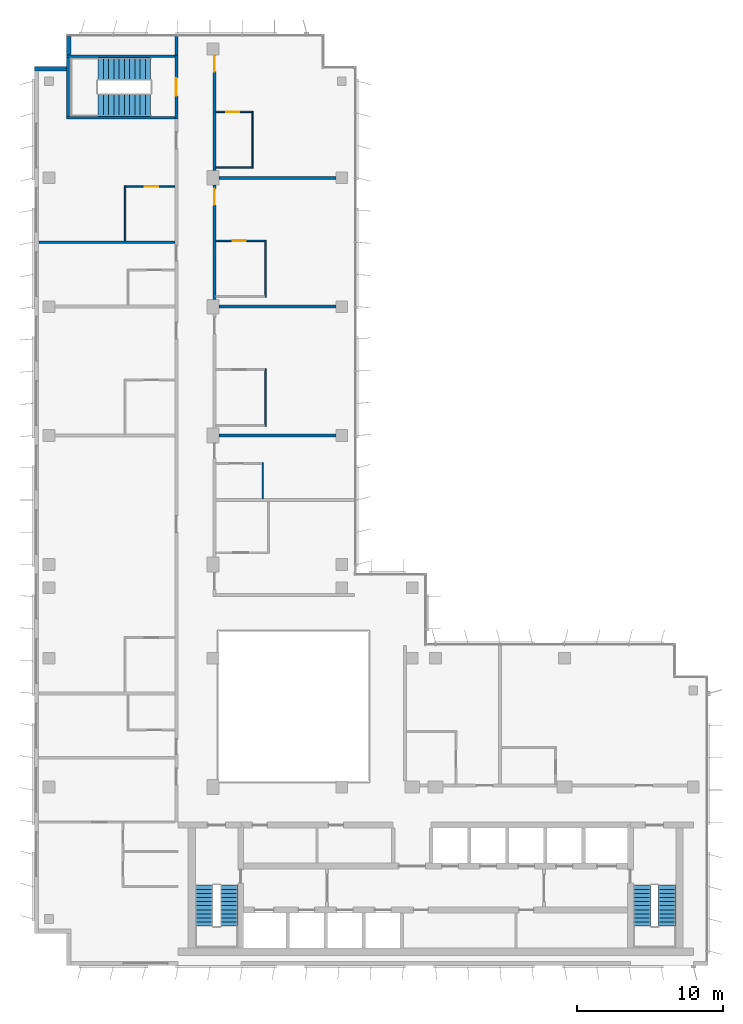
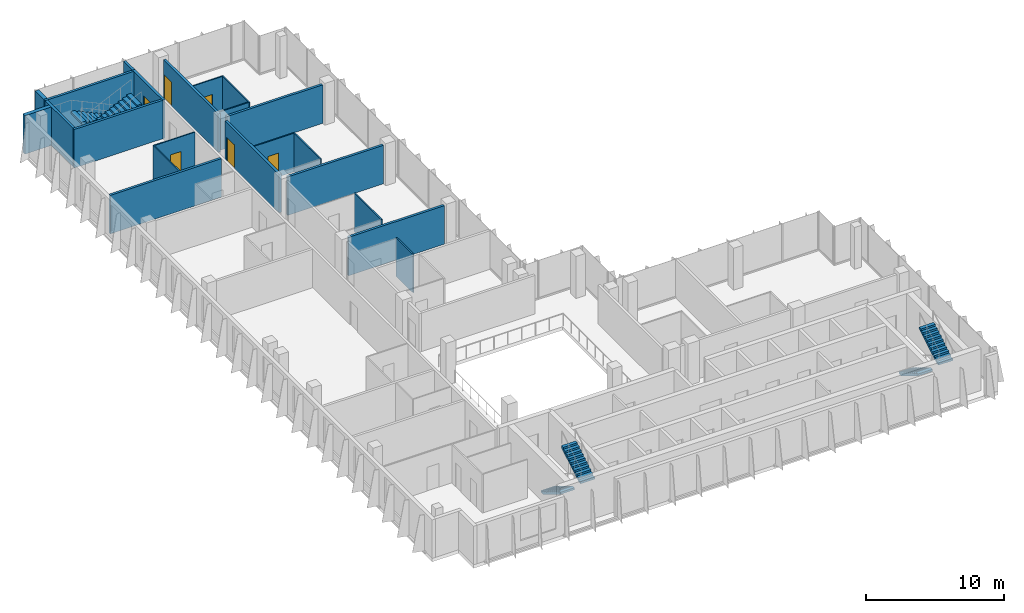
# One storey, part 12 of 15: 22 walls, 6 doors, 6 stair flights, 6 openings, 3 elements without a shape of their own.
"""IFC4 building model written with IfcOpenShell, lengths in metres."""

from ifc_helpers import new_model, si_unit, direction, frame, frame_2d, origin, place, context, subcontext, project, spatial, polyline, rectangle, outline, extrude, material, layer, layer_set, type_object, element, fill, aggregate, save


model = new_model("IFC4")

# Units and contexts
model_context = context("Model", 3, precision=1e-05, world=origin(), true_north=direction((0.0, 1.0)))
body_context = subcontext(model_context, "Body", "Model", "MODEL_VIEW")
ifc_project = project(units=[si_unit("LENGTHUNIT", "METRE"), si_unit("AREAUNIT", "SQUARE_METRE"), si_unit("VOLUMEUNIT", "CUBIC_METRE"), si_unit("PLANEANGLEUNIT", "RADIAN"), si_unit("MASSUNIT", "GRAM", prefix="KILO")], contexts=[model_context])

# Site, building, storey
site_placement = place(None, origin())
site = spatial("IfcSite", under=ifc_project, at=site_placement, CompositionType="ELEMENT")
building_placement = place(site_placement, origin())
building = spatial("IfcBuilding", under=site, at=building_placement, Name="Kemantara Hotel Tower", CompositionType="ELEMENT")
storey_placement = place(building_placement, frame((0.0, 0.0, 230.199951171875)))
storey = spatial("IfcBuildingStorey", under=building, at=storey_placement, Name="L57", CompositionType="ELEMENT", Elevation=230.199951171875)

# Walls
ifc_material_1 = material(Name="Bronze anodised aluminium cladding on insulated steel stud wall", Category="steel")
ifc_layer_1 = layer(ifc_material_1, 0.300048828125)
ifc_layer_set_1 = layer_set([ifc_layer_1], Name="Bronze anodised aluminium cladding on insulated steel stud wall")
wall_type_1 = type_object("IfcWallType", Name="BRONZE METAL-CLAD EXTERNAL WALL 300", PredefinedType="STANDARD", material=ifc_layer_set_1)
wall_1_placement = place(storey_placement, frame((2.35009765625, 63.449951171875, 0.0), z_axis=(0.0, 0.0, 1.0), x_axis=(0.0, -1.0, 0.0)))
element("IfcWall", 1, at=wall_1_placement, inside=storey, type_object=wall_type_1, Name="EXTERNAL WALL L57 T4-R03", PredefinedType="STANDARD", context=body_context, shape_type="SweptSolid", body=[
    extrude(rectangle(XDim=1.25, YDim=0.300048828125, at=frame_2d((0.625, 0.0))), origin(), (0.0, 0.0, 1.0), 3.400146484375),
])
wall_2_placement = place(storey_placement, frame((2.199951171875, 61.25, 0.0), z_axis=(0.0, 0.0, 1.0), x_axis=(-1.0, 0.0, 0.0)))
element("IfcWall", 2, at=wall_2_placement, inside=storey, type_object=wall_type_1, Name="EXTERNAL WALL L57 T4-R04", PredefinedType="STANDARD", context=body_context, shape_type="SweptSolid", body=[
    extrude(rectangle(XDim=2.199951171875, YDim=0.300048828125, at=frame_2d((1.10009765625, 0.0))), origin(), (0.0, 0.0, 1.0), 3.400146484375),
])
ifc_material_2 = material(Name="Gypsum board partition, steel studs and mineral wool, 200 mm", Category="steel")
ifc_layer_2 = layer(ifc_material_2, 0.199951171875)
ifc_layer_set_2 = layer_set([ifc_layer_2], Name="Gypsum board partition, steel studs and mineral wool, 200 mm")
wall_type_2 = type_object("IfcWallType", Name="CORRIDOR WALL 200", PredefinedType="PARTITIONING", material=ifc_layer_set_2)
wall_3_placement = place(storey_placement, frame((9.699951171875, 62.199951171875, 0.0), z_axis=(0.0, 0.0, 1.0), x_axis=(0.0, 1.0, 0.0)))
element("IfcWall", 3, at=wall_3_placement, inside=storey, type_object=wall_type_2, Name="CORRIDOR WALL 200 007", PredefinedType="PARTITIONING", context=body_context, shape_type="SweptSolid", body=[
    extrude(rectangle(XDim=1.280029296875, YDim=0.199951171875, at=frame_2d((0.64013671875, 0.0))), origin(), (0.0, 0.0, 1.0), 3.400146484375),
])

# Wall, opening, door
wall_4_placement = place(storey_placement, frame((12.300048828125, 53.2998046875, 0.0), z_axis=(0.0, 0.0, 1.0), x_axis=(0.0, -1.0, 0.0)))
wall_4 = element("IfcWall", 4, at=wall_4_placement, inside=storey, type_object=wall_type_2, Name="CORRIDOR WALL 200 018", PredefinedType="PARTITIONING", context=body_context, shape_type="SweptSolid", body=[
    extrude(rectangle(XDim=7.7998046875, YDim=0.199951171875, at=frame_2d((3.89990234375, 0.0))), origin(), (0.0, 0.0, 1.0), 3.400146484375),
])
opening_1_placement = place(wall_4_placement, frame((0.25, 0.0, 0.0)))
opening_1 = element("IfcOpeningElement", 5, at=opening_1_placement, cuts=wall_4, Name="Opening F28-025", PredefinedType="OPENING", context=body_context, shape_type="SweptSolid", body=[
    extrude(rectangle(XDim=1.10009765625, YDim=2.10009765625, at=frame_2d((0.550048828125, 1.050048828125))), frame((0.0, 0.10986328125, 0.0), z_axis=(0.0, -1.0, 0.0), x_axis=(1.0, 0.0, 0.0)), (0.0, 0.0, 1.0), 0.219970703125),
])
ifc_material_3 = material(Name="Hardwood veneer door leaf with steel frame", Category="steel")
door_type_1 = type_object("IfcDoorType", Name="SUITE ENTRANCE DOOR 1100 X 2100 FD30S", OperationType="NOTDEFINED", PredefinedType="DOOR", material=ifc_material_3)
door_1_placement = place(opening_1_placement, origin())
door_1 = element("IfcDoor", 6, at=door_1_placement, inside=storey, type_object=door_type_1, Name="SUITE ENTRANCE DOOR F28-025", OperationType="SINGLE_SWING_LEFT", OverallHeight=2.10009765625, OverallWidth=1.10009765625, PredefinedType="DOOR", context=body_context, shape_type="SweptSolid", body=[
    extrude(rectangle(XDim=1.10009765625, YDim=2.10009765625, at=frame_2d((0.550048828125, 1.050048828125))), frame((0.0, 0.02490234375, 0.0), z_axis=(0.0, -1.0, 0.0), x_axis=(1.0, 0.0, 0.0)), (0.0, 0.0, 1.0), 0.050048828125),
])
fill(opening_1, door_1)

wall_5_placement = place(storey_placement, frame((12.300048828125, 62.199951171875, 0.0), z_axis=(0.0, 0.0, 1.0), x_axis=(0.0, -1.0, 0.0)))
wall_5 = element("IfcWall", 7, at=wall_5_placement, inside=storey, type_object=wall_type_2, Name="CORRIDOR WALL 200 019", PredefinedType="PARTITIONING", context=body_context, shape_type="SweptSolid", body=[
    extrude(rectangle(XDim=7.89990234375, YDim=0.199951171875, at=frame_2d((3.949951171875, 0.0))), origin(), (0.0, 0.0, 1.0), 3.400146484375),
])
opening_2_placement = place(wall_5_placement, frame((0.0498046875, 0.0, 0.0)))
opening_2 = element("IfcOpeningElement", 8, at=opening_2_placement, cuts=wall_5, Name="Opening F28-027", PredefinedType="OPENING", context=body_context, shape_type="SweptSolid", body=[
    extrude(rectangle(XDim=1.10009765625, YDim=2.10009765625, at=frame_2d((0.550048828125, 1.050048828125))), frame((0.0, 0.10986328125, 0.0), z_axis=(0.0, -1.0, 0.0), x_axis=(1.0, 0.0, 0.0)), (0.0, 0.0, 1.0), 0.219970703125),
])
door_2_placement = place(opening_2_placement, origin())
door_2 = element("IfcDoor", 9, at=door_2_placement, inside=storey, type_object=door_type_1, Name="SUITE ENTRANCE DOOR F28-027", OperationType="SINGLE_SWING_LEFT", OverallHeight=2.10009765625, OverallWidth=1.10009765625, PredefinedType="DOOR", context=body_context, shape_type="SweptSolid", body=[
    extrude(rectangle(XDim=1.10009765625, YDim=2.10009765625, at=frame_2d((0.550048828125, 1.050048828125))), frame((0.0, 0.02490234375, 0.0), z_axis=(0.0, -1.0, 0.0), x_axis=(1.0, 0.0, 0.0)), (0.0, 0.0, 1.0), 0.050048828125),
])
fill(opening_2, door_2)

ifc_material_4 = material(Name="Concrete fc 40 MPa", Category="concrete")
ifc_layer_3 = layer(ifc_material_4, 0.199951171875)
ifc_layer_set_3 = layer_set([ifc_layer_3], Name="Concrete fc 40 MPa")
wall_type_3 = type_object("IfcWallType", Name="Concrete stair wall 200 mm", PredefinedType="SHEAR", material=ifc_layer_set_3)
wall_6_placement = place(storey_placement, frame((9.699951171875, 57.800048828125, 0.0), z_axis=(0.0, 0.0, 1.0), x_axis=(0.0, 1.0, 0.0)))
wall_6 = element("IfcWall", 10, at=wall_6_placement, inside=storey, type_object=wall_type_3, Name="Stair ST4 enclosure wall with door", PredefinedType="SHEAR", context=body_context, shape_type="SweptSolid", body=[
    extrude(rectangle(XDim=4.39990234375, YDim=0.199951171875, at=frame_2d((2.199951171875, 0.0))), origin(), (0.0, 0.0, 1.0), 3.400146484375),
])
opening_3_placement = place(wall_6_placement, frame((1.60009765625, 0.0, 0.0)))
opening_3 = element("IfcOpeningElement", 11, at=opening_3_placement, cuts=wall_6, Name="Opening ST4-C", PredefinedType="OPENING", context=body_context, shape_type="SweptSolid", body=[
    extrude(rectangle(XDim=1.199951171875, YDim=2.10009765625, at=frame_2d((0.60009765625, 1.050048828125))), frame((0.0, 0.10986328125, 0.0), z_axis=(0.0, -1.0, 0.0), x_axis=(1.0, 0.0, 0.0)), (0.0, 0.0, 1.0), 0.219970703125),
])
ifc_material_5 = material(Name="Steel fire door", Category="steel")
door_type_2 = type_object("IfcDoorType", Name="Fire door FD90 1200 x 2100", OperationType="NOTDEFINED", PredefinedType="DOOR", material=ifc_material_5)
door_3_placement = place(opening_3_placement, origin())
door_3 = element("IfcDoor", 12, at=door_3_placement, inside=storey, type_object=door_type_2, Name="Stair ST4 door", OperationType="SINGLE_SWING_RIGHT", OverallHeight=2.10009765625, OverallWidth=1.199951171875, PredefinedType="DOOR", context=body_context, shape_type="SweptSolid", body=[
    extrude(rectangle(XDim=1.199951171875, YDim=2.10009765625, at=frame_2d((0.60009765625, 1.050048828125))), frame((0.0, 0.02490234375, 0.0), z_axis=(0.0, -1.0, 0.0), x_axis=(1.0, 0.0, 0.0)), (0.0, 0.0, 1.0), 0.050048828125),
])
fill(opening_3, door_3)

# Walls
for number, where, z_axis, x_axis, name in (
    (13, (2.199951171875, 62.10009765625, 0.0), (0.0, 0.0, 1.0), (1.0, 0.0, 0.0), "Stair ST4 enclosure wall N"),
    (14, (2.199951171875, 57.89990234375, 0.0), (0.0, 0.0, 1.0), (1.0, 0.0, 0.0), "Stair ST4 enclosure wall S"),
):
    element("IfcWall", number, at=place(storey_placement, frame(where, z_axis=z_axis, x_axis=x_axis)), inside=storey, type_object=wall_type_3, Name=name, PredefinedType="SHEAR", context=body_context, shape_type="SweptSolid", body=[
        extrude(rectangle(XDim=7.400146484375, YDim=0.199951171875, at=frame_2d((3.7001953125, 0.0))), origin(), (0.0, 0.0, 1.0), 3.400146484375),
    ])
wall_7_placement = place(storey_placement, frame((2.300048828125, 58.0, 0.0), z_axis=(0.0, 0.0, 1.0), x_axis=(0.0, 1.0, 0.0)))
element("IfcWall", 15, at=wall_7_placement, inside=storey, type_object=wall_type_3, Name="Stair ST4 enclosure wall W", PredefinedType="SHEAR", context=body_context, shape_type="SweptSolid", body=[
    extrude(rectangle(XDim=4.0, YDim=0.199951171875, at=frame_2d((2.0, 0.0))), origin(), (0.0, 0.0, 1.0), 3.400146484375),
])
ifc_layer_4 = layer(ifc_material_2, 0.199951171875)
ifc_layer_set_4 = layer_set([ifc_layer_4], Name="Gypsum board partition, steel studs and mineral wool, 200 mm")
wall_type_4 = type_object("IfcWallType", Name="GUEST ROOM PARTY WALL 200", PredefinedType="PARTITIONING", material=ifc_layer_set_4)
for number, where, z_axis, x_axis, name in (
    (16, (12.60009765625, 36.199951171875, 0.0), (0.0, 0.0, 1.0), (1.0, 0.0, 0.0), "GUEST ROOM PARTY WALL 200 011"),
    (17, (12.60009765625, 45.0, 0.0), (0.0, 0.0, 1.0), (1.0, 0.0, 0.0), "GUEST ROOM PARTY WALL 200 013"),
):
    element("IfcWall", number, at=place(storey_placement, frame(where, z_axis=z_axis, x_axis=x_axis)), inside=storey, type_object=wall_type_4, Name=name, PredefinedType="PARTITIONING", context=body_context, shape_type="SweptSolid", body=[
        extrude(rectangle(XDim=7.999755859375, YDim=0.199951171875, at=frame_2d((4.0, 0.0))), origin(), (0.0, 0.0, 1.0), 3.400146484375),
    ])
wall_8_placement = place(storey_placement, frame((0.31005859375, 49.39990234375, 0.0), z_axis=(0.0, 0.0, 1.0), x_axis=(1.0, 0.0, 0.0)))
element("IfcWall", 18, at=wall_8_placement, inside=storey, type_object=wall_type_4, Name="GUEST ROOM PARTY WALL 200 014", PredefinedType="PARTITIONING", context=body_context, shape_type="SweptSolid", body=[
    extrude(rectangle(XDim=9.2900390625, YDim=0.199951171875, at=frame_2d((4.64501953125, 0.0))), origin(), (0.0, 0.0, 1.0), 3.400146484375),
])
wall_9_placement = place(storey_placement, frame((12.60009765625, 53.800048828125, 0.0), z_axis=(0.0, 0.0, 1.0), x_axis=(1.0, 0.0, 0.0)))
element("IfcWall", 19, at=wall_9_placement, inside=storey, type_object=wall_type_4, Name="GUEST ROOM PARTY WALL 200 022", PredefinedType="PARTITIONING", context=body_context, shape_type="SweptSolid", body=[
    extrude(rectangle(XDim=7.999755859375, YDim=0.199951171875, at=frame_2d((4.0, 0.0))), origin(), (0.0, 0.0, 1.0), 3.400146484375),
])
ifc_material_6 = material(Name="Gypsum board partition on steel studs, 100 mm", Category="steel")
ifc_layer_5 = layer(ifc_material_6, 0.10009765625)
ifc_layer_set_5 = layer_set([ifc_layer_5], Name="Gypsum board partition on steel studs, 100 mm")
wall_type_5 = type_object("IfcWallType", Name="ROOM PARTITION 100", PredefinedType="PARTITIONING", material=ifc_layer_set_5)
wall_10_placement = place(storey_placement, frame((6.199951171875, 49.5, 0.0), z_axis=(0.0, 0.0, 1.0), x_axis=(0.0, 1.0, 0.0)))
element("IfcWall", 20, at=wall_10_placement, inside=storey, type_object=wall_type_5, Name="ROOM PARTITION 100 036", PredefinedType="PARTITIONING", context=body_context, shape_type="SweptSolid", body=[
    extrude(rectangle(XDim=3.75, YDim=0.10009765625, at=frame_2d((1.875, 0.0))), origin(), (0.0, 0.0, 1.0), 3.400146484375),
])

# Wall, opening, door
wall_11_placement = place(storey_placement, frame((9.60009765625, 53.199951171875, 0.0), z_axis=(0.0, 0.0, 1.0), x_axis=(-1.0, 0.0, 0.0)))
wall_11 = element("IfcWall", 21, at=wall_11_placement, inside=storey, type_object=wall_type_5, Name="ROOM PARTITION 100 040", PredefinedType="PARTITIONING", context=body_context, shape_type="SweptSolid", body=[
    extrude(rectangle(XDim=3.35009765625, YDim=0.10009765625, at=frame_2d((1.675048828125, 0.0))), origin(), (0.0, 0.0, 1.0), 3.400146484375),
])
opening_4_placement = place(wall_11_placement, frame((1.14990234375, 0.0, 0.0)))
opening_4 = element("IfcOpeningElement", 22, at=opening_4_placement, cuts=wall_11, Name="Opening F28-018", PredefinedType="OPENING", context=body_context, shape_type="SweptSolid", body=[
    extrude(rectangle(XDim=0.89990234375, YDim=2.10009765625, at=frame_2d((0.449951171875, 1.050048828125))), frame((0.0, 0.06005859375, 0.0), z_axis=(0.0, -1.0, 0.0), x_axis=(1.0, 0.0, 0.0)), (0.0, 0.0, 1.0), 0.1201171875),
])
door_type_3 = type_object("IfcDoorType", Name="BATHROOM DOOR 900 X 2100", OperationType="NOTDEFINED", PredefinedType="DOOR", material=ifc_material_3)
door_4_placement = place(opening_4_placement, origin())
door_4 = element("IfcDoor", 23, at=door_4_placement, inside=storey, type_object=door_type_3, Name="BATHROOM DOOR F28-018", OperationType="SINGLE_SWING_LEFT", OverallHeight=2.10009765625, OverallWidth=0.89990234375, PredefinedType="DOOR", context=body_context, shape_type="SweptSolid", body=[
    extrude(rectangle(XDim=0.89990234375, YDim=2.10009765625, at=frame_2d((0.449951171875, 1.050048828125))), frame((0.0, 0.02490234375, 0.0), z_axis=(0.0, -1.0, 0.0), x_axis=(1.0, 0.0, 0.0)), (0.0, 0.0, 1.0), 0.050048828125),
])
fill(opening_4, door_4)

# Walls
wall_12_placement = place(storey_placement, frame((15.60009765625, 31.89990234375, 0.0), z_axis=(0.0, 0.0, 1.0), x_axis=(0.0, 1.0, 0.0)))
element("IfcWall", 24, at=wall_12_placement, inside=storey, type_object=wall_type_5, Name="ROOM PARTITION 100 043", PredefinedType="PARTITIONING", context=body_context, shape_type="SweptSolid", body=[
    extrude(rectangle(XDim=2.4501953125, YDim=0.10009765625, at=frame_2d((1.22509765625, 0.0))), origin(), (0.0, 0.0, 1.0), 3.400146484375),
])
wall_13_placement = place(storey_placement, frame((15.800048828125, 36.85009765625, 0.0), z_axis=(0.0, 0.0, 1.0), x_axis=(0.0, 1.0, 0.0)))
element("IfcWall", 25, at=wall_13_placement, inside=storey, type_object=wall_type_5, Name="ROOM PARTITION 100 045", PredefinedType="PARTITIONING", context=body_context, shape_type="SweptSolid", body=[
    extrude(rectangle(XDim=3.89990234375, YDim=0.10009765625, at=frame_2d((1.949951171875, 0.0))), origin(), (0.0, 0.0, 1.0), 3.400146484375),
])
wall_14_placement = place(storey_placement, frame((15.800048828125, 45.64990234375, 0.0), z_axis=(0.0, 0.0, 1.0), x_axis=(0.0, 1.0, 0.0)))
element("IfcWall", 26, at=wall_14_placement, inside=storey, type_object=wall_type_5, Name="ROOM PARTITION 100 046", PredefinedType="PARTITIONING", context=body_context, shape_type="SweptSolid", body=[
    extrude(rectangle(XDim=3.900146484375, YDim=0.10009765625, at=frame_2d((1.9501953125, 0.0))), origin(), (0.0, 0.0, 1.0), 3.400146484375),
])

# Wall, opening, door
wall_15_placement = place(storey_placement, frame((15.75, 49.5, 0.0), z_axis=(0.0, 0.0, 1.0), x_axis=(-1.0, 0.0, 0.0)))
wall_15 = element("IfcWall", 27, at=wall_15_placement, inside=storey, type_object=wall_type_5, Name="ROOM PARTITION 100 050", PredefinedType="PARTITIONING", context=body_context, shape_type="SweptSolid", body=[
    extrude(rectangle(XDim=3.35009765625, YDim=0.10009765625, at=frame_2d((1.675048828125, 0.0))), origin(), (0.0, 0.0, 1.0), 3.400146484375),
])
opening_5_placement = place(wall_15_placement, frame((1.300048828125, 0.0, 0.0)))
opening_5 = element("IfcOpeningElement", 28, at=opening_5_placement, cuts=wall_15, Name="Opening F28-026", PredefinedType="OPENING", context=body_context, shape_type="SweptSolid", body=[
    extrude(rectangle(XDim=0.89990234375, YDim=2.10009765625, at=frame_2d((0.449951171875, 1.050048828125))), frame((0.0, 0.06005859375, 0.0), z_axis=(0.0, -1.0, 0.0), x_axis=(1.0, 0.0, 0.0)), (0.0, 0.0, 1.0), 0.1201171875),
])
door_5_placement = place(opening_5_placement, origin())
door_5 = element("IfcDoor", 29, at=door_5_placement, inside=storey, type_object=door_type_3, Name="BATHROOM DOOR F28-026", OperationType="SINGLE_SWING_RIGHT", OverallHeight=2.10009765625, OverallWidth=0.89990234375, PredefinedType="DOOR", context=body_context, shape_type="SweptSolid", body=[
    extrude(rectangle(XDim=0.89990234375, YDim=2.10009765625, at=frame_2d((0.449951171875, 1.050048828125))), frame((0.0, 0.02490234375, 0.0), z_axis=(0.0, -1.0, 0.0), x_axis=(1.0, 0.0, 0.0)), (0.0, 0.0, 1.0), 0.050048828125),
])
fill(opening_5, door_5)

# Walls
wall_16_placement = place(storey_placement, frame((14.89990234375, 54.449951171875, 0.0), z_axis=(0.0, 0.0, 1.0), x_axis=(0.0, 1.0, 0.0)))
element("IfcWall", 30, at=wall_16_placement, inside=storey, type_object=wall_type_5, Name="ROOM PARTITION 100 051", PredefinedType="PARTITIONING", context=body_context, shape_type="SweptSolid", body=[
    extrude(rectangle(XDim=3.900146484375, YDim=0.10009765625, at=frame_2d((1.9501953125, 0.0))), origin(), (0.0, 0.0, 1.0), 3.400146484375),
])
wall_17_placement = place(storey_placement, frame((12.39990234375, 54.5, 0.0), z_axis=(0.0, 0.0, 1.0), x_axis=(1.0, 0.0, 0.0)))
element("IfcWall", 31, at=wall_17_placement, inside=storey, type_object=wall_type_5, Name="ROOM PARTITION 100 052", PredefinedType="PARTITIONING", context=body_context, shape_type="SweptSolid", body=[
    extrude(rectangle(XDim=2.4501953125, YDim=0.10009765625, at=frame_2d((1.22509765625, 0.0))), origin(), (0.0, 0.0, 1.0), 3.400146484375),
])

# Wall, opening, door
wall_18_placement = place(storey_placement, frame((14.85009765625, 58.300048828125, 0.0), z_axis=(0.0, 0.0, 1.0), x_axis=(-1.0, 0.0, 0.0)))
wall_18 = element("IfcWall", 32, at=wall_18_placement, inside=storey, type_object=wall_type_5, Name="ROOM PARTITION 100 053", PredefinedType="PARTITIONING", context=body_context, shape_type="SweptSolid", body=[
    extrude(rectangle(XDim=2.4501953125, YDim=0.10009765625, at=frame_2d((1.22509765625, 0.0))), origin(), (0.0, 0.0, 1.0), 3.400146484375),
])
opening_6_placement = place(wall_18_placement, frame((0.85009765625, 0.0, 0.0)))
opening_6 = element("IfcOpeningElement", 33, at=opening_6_placement, cuts=wall_18, Name="Opening F28-028", PredefinedType="OPENING", context=body_context, shape_type="SweptSolid", body=[
    extrude(rectangle(XDim=0.89990234375, YDim=2.10009765625, at=frame_2d((0.449951171875, 1.050048828125))), frame((0.0, 0.06005859375, 0.0), z_axis=(0.0, -1.0, 0.0), x_axis=(1.0, 0.0, 0.0)), (0.0, 0.0, 1.0), 0.1201171875),
])
door_6_placement = place(opening_6_placement, origin())
door_6 = element("IfcDoor", 34, at=door_6_placement, inside=storey, type_object=door_type_3, Name="BATHROOM DOOR F28-028", OperationType="SINGLE_SWING_RIGHT", OverallHeight=2.10009765625, OverallWidth=0.89990234375, PredefinedType="DOOR", context=body_context, shape_type="SweptSolid", body=[
    extrude(rectangle(XDim=0.89990234375, YDim=2.10009765625, at=frame_2d((0.449951171875, 1.050048828125))), frame((0.0, 0.02490234375, 0.0), z_axis=(0.0, -1.0, 0.0), x_axis=(1.0, 0.0, 0.0)), (0.0, 0.0, 1.0), 0.050048828125),
])
fill(opening_6, door_6)

# Stair, stair flights
stair_type_1 = type_object("IfcStairType", Name="Stair 1200 wide 22 risers of 168 x 280 mm", PredefinedType="HALF_TURN_STAIR", material=ifc_material_4)
stair_1_placement = place(storey_placement, origin())
stair_1 = element("IfcStair", 35, at=stair_1_placement, inside=storey, type_object=stair_type_1, Name="L57 Exit stair ST1", PredefinedType="HALF_TURN_STAIR")
stair_flight_type_1 = type_object("IfcStairFlightType", Name="Stair flight 1200 wide 168 x 280 mm", PredefinedType="STRAIGHT", material=ifc_material_4)
stair_flight_1_placement = place(storey_placement, frame((11.60009765625, 5.5, 0.0), z_axis=(0.0, 0.0, 1.0), x_axis=(0.0, -1.0, 0.0)))
stair_flight_1 = element("IfcStairFlight", 36, at=stair_flight_1_placement, type_object=stair_flight_type_1, Name="ST1 flight 1", NumberOfRisers=11, NumberOfTreads=10, PredefinedType="STRAIGHT", RiserHeight=0.168181818, TreadLength=0.28, context=body_context, shape_type="SweptSolid", body=[
    extrude(outline(polyline([(0.0, 0.0), (0.0, 0.168212890625), (0.280029296875, 0.168212890625), (0.280029296875, 0.33642578125), (0.56005859375, 0.33642578125), (0.56005859375, 0.504638671875), (0.840087890625, 0.504638671875), (0.840087890625, 0.672607421875), (1.1201171875, 0.672607421875), (1.1201171875, 0.8408203125), (1.39990234375, 0.8408203125), (1.39990234375, 1.009033203125), (1.679931640625, 1.009033203125), (1.679931640625, 1.17724609375), (1.9599609375, 1.17724609375), (1.9599609375, 1.345458984375), (2.239990234375, 1.345458984375), (2.239990234375, 1.513671875), (2.52001953125, 1.513671875), (2.52001953125, 1.681884765625), (2.800048828125, 1.681884765625), (2.800048828125, 1.85009765625), (2.800048828125, 1.5068359375), (0.291015625, 0.0), (0.0, 0.0)])), frame((0.0, 0.60009765625, 0.0), z_axis=(0.0, -1.0, 0.0), x_axis=(1.0, 0.0, 0.0)), (0.0, 0.0, 1.0), 1.199951171875),
])
stair_flight_2_placement = place(storey_placement, frame((13.300048828125, 2.699951171875, 1.85009765625), z_axis=(0.0, 0.0, 1.0), x_axis=(0.0, 1.0, 0.0)))
stair_flight_2 = element("IfcStairFlight", 37, at=stair_flight_2_placement, type_object=stair_flight_type_1, Name="ST1 flight 2", NumberOfRisers=11, NumberOfTreads=10, PredefinedType="STRAIGHT", RiserHeight=0.168181818, TreadLength=0.28, context=body_context, shape_type="SweptSolid", body=[
    extrude(outline(polyline([(0.0, 0.0), (0.0, 0.168212890625), (0.280029296875, 0.168212890625), (0.280029296875, 0.33642578125), (0.56005859375, 0.33642578125), (0.56005859375, 0.504638671875), (0.840087890625, 0.504638671875), (0.840087890625, 0.672607421875), (1.1201171875, 0.672607421875), (1.1201171875, 0.8408203125), (1.39990234375, 0.8408203125), (1.39990234375, 1.009033203125), (1.679931640625, 1.009033203125), (1.679931640625, 1.17724609375), (1.9599609375, 1.17724609375), (1.9599609375, 1.345458984375), (2.239990234375, 1.345458984375), (2.239990234375, 1.513671875), (2.52001953125, 1.513671875), (2.52001953125, 1.681884765625), (2.800048828125, 1.681884765625), (2.800048828125, 1.85009765625), (2.800048828125, 1.5068359375), (0.291015625, 0.0), (0.0, 0.0)])), frame((0.0, 0.60009765625, 0.0), z_axis=(0.0, -1.0, 0.0), x_axis=(1.0, 0.0, 0.0)), (0.0, 0.0, 1.0), 1.199951171875),
])
aggregate(stair_1, [stair_flight_1, stair_flight_2])

stair_2_placement = place(storey_placement, origin())
stair_2 = element("IfcStair", 38, at=stair_2_placement, inside=storey, type_object=stair_type_1, Name="L57 Exit stair ST2", PredefinedType="HALF_TURN_STAIR")
stair_flight_3_placement = place(storey_placement, frame((41.5, 5.5, 0.0), z_axis=(0.0, 0.0, 1.0), x_axis=(0.0, -1.0, 0.0)))
stair_flight_3 = element("IfcStairFlight", 39, at=stair_flight_3_placement, type_object=stair_flight_type_1, Name="ST2 flight 1", NumberOfRisers=11, NumberOfTreads=10, PredefinedType="STRAIGHT", RiserHeight=0.168181818, TreadLength=0.28, context=body_context, shape_type="SweptSolid", body=[
    extrude(outline(polyline([(0.0, 0.0), (0.0, 0.168212890625), (0.280029296875, 0.168212890625), (0.280029296875, 0.33642578125), (0.56005859375, 0.33642578125), (0.56005859375, 0.504638671875), (0.840087890625, 0.504638671875), (0.840087890625, 0.672607421875), (1.1201171875, 0.672607421875), (1.1201171875, 0.8408203125), (1.39990234375, 0.8408203125), (1.39990234375, 1.009033203125), (1.679931640625, 1.009033203125), (1.679931640625, 1.17724609375), (1.9599609375, 1.17724609375), (1.9599609375, 1.345458984375), (2.239990234375, 1.345458984375), (2.239990234375, 1.513671875), (2.52001953125, 1.513671875), (2.52001953125, 1.681884765625), (2.800048828125, 1.681884765625), (2.800048828125, 1.85009765625), (2.800048828125, 1.5068359375), (0.291015625, 0.0), (0.0, 0.0)])), frame((0.0, 0.60009765625, 0.0), z_axis=(0.0, -1.0, 0.0), x_axis=(1.0, 0.0, 0.0)), (0.0, 0.0, 1.0), 1.199951171875),
])
stair_flight_4_placement = place(storey_placement, frame((43.199951171875, 2.699951171875, 1.85009765625), z_axis=(0.0, 0.0, 1.0), x_axis=(0.0, 1.0, 0.0)))
stair_flight_4 = element("IfcStairFlight", 40, at=stair_flight_4_placement, type_object=stair_flight_type_1, Name="ST2 flight 2", NumberOfRisers=11, NumberOfTreads=10, PredefinedType="STRAIGHT", RiserHeight=0.168181818, TreadLength=0.28, context=body_context, shape_type="SweptSolid", body=[
    extrude(outline(polyline([(0.0, 0.0), (0.0, 0.168212890625), (0.280029296875, 0.168212890625), (0.280029296875, 0.33642578125), (0.56005859375, 0.33642578125), (0.56005859375, 0.504638671875), (0.840087890625, 0.504638671875), (0.840087890625, 0.672607421875), (1.1201171875, 0.672607421875), (1.1201171875, 0.8408203125), (1.39990234375, 0.8408203125), (1.39990234375, 1.009033203125), (1.679931640625, 1.009033203125), (1.679931640625, 1.17724609375), (1.9599609375, 1.17724609375), (1.9599609375, 1.345458984375), (2.239990234375, 1.345458984375), (2.239990234375, 1.513671875), (2.52001953125, 1.513671875), (2.52001953125, 1.681884765625), (2.800048828125, 1.681884765625), (2.800048828125, 1.85009765625), (2.800048828125, 1.5068359375), (0.291015625, 0.0), (0.0, 0.0)])), frame((0.0, 0.60009765625, 0.0), z_axis=(0.0, -1.0, 0.0), x_axis=(1.0, 0.0, 0.0)), (0.0, 0.0, 1.0), 1.199951171875),
])
aggregate(stair_2, [stair_flight_3, stair_flight_4])

stair_type_2 = type_object("IfcStairType", Name="Stair 1550 wide 22 risers of 168 x 360 mm", PredefinedType="HALF_TURN_STAIR", material=ifc_material_4)
stair_3_placement = place(storey_placement, origin())
stair_3 = element("IfcStair", 41, at=stair_3_placement, inside=storey, type_object=stair_type_2, Name="L57 Exit stair ST4", PredefinedType="HALF_TURN_STAIR")
stair_flight_type_2 = type_object("IfcStairFlightType", Name="Stair flight 1550 wide 168 x 360 mm", PredefinedType="STRAIGHT", material=ifc_material_4)
stair_flight_5_placement = place(storey_placement, frame((7.949951171875, 61.22509765625, 0.0), z_axis=(0.0, 0.0, 1.0), x_axis=(-1.0, 0.0, 0.0)))
stair_flight_5 = element("IfcStairFlight", 42, at=stair_flight_5_placement, type_object=stair_flight_type_2, Name="ST4 flight 1", NumberOfRisers=11, NumberOfTreads=10, PredefinedType="STRAIGHT", RiserHeight=0.168181818, TreadLength=0.36, context=body_context, shape_type="SweptSolid", body=[
    extrude(outline(polyline([(0.0, 0.0), (0.0, 0.168212890625), (0.360107421875, 0.168212890625), (0.360107421875, 0.33642578125), (0.719970703125, 0.33642578125), (0.719970703125, 0.504638671875), (1.080078125, 0.504638671875), (1.080078125, 0.672607421875), (1.43994140625, 0.672607421875), (1.43994140625, 0.8408203125), (1.800048828125, 0.8408203125), (1.800048828125, 1.009033203125), (2.159912109375, 1.009033203125), (2.159912109375, 1.17724609375), (2.52001953125, 1.17724609375), (2.52001953125, 1.345458984375), (2.8798828125, 1.345458984375), (2.8798828125, 1.513671875), (3.239990234375, 1.513671875), (3.239990234375, 1.681884765625), (3.60009765625, 1.681884765625), (3.60009765625, 1.85009765625), (3.60009765625, 1.516357421875), (0.354248046875, 0.0), (0.0, 0.0)])), frame((0.0, 0.77490234375, 0.0), z_axis=(0.0, -1.0, 0.0), x_axis=(1.0, 0.0, 0.0)), (0.0, 0.0, 1.0), 1.550048828125),
])
stair_flight_6_placement = place(storey_placement, frame((4.35009765625, 58.77490234375, 1.85009765625), z_axis=(0.0, 0.0, 1.0), x_axis=(1.0, 0.0, 0.0)))
stair_flight_6 = element("IfcStairFlight", 43, at=stair_flight_6_placement, type_object=stair_flight_type_2, Name="ST4 flight 2", NumberOfRisers=11, NumberOfTreads=10, PredefinedType="STRAIGHT", RiserHeight=0.168181818, TreadLength=0.36, context=body_context, shape_type="SweptSolid", body=[
    extrude(outline(polyline([(0.0, 0.0), (0.0, 0.168212890625), (0.360107421875, 0.168212890625), (0.360107421875, 0.33642578125), (0.719970703125, 0.33642578125), (0.719970703125, 0.504638671875), (1.080078125, 0.504638671875), (1.080078125, 0.672607421875), (1.43994140625, 0.672607421875), (1.43994140625, 0.8408203125), (1.800048828125, 0.8408203125), (1.800048828125, 1.009033203125), (2.159912109375, 1.009033203125), (2.159912109375, 1.17724609375), (2.52001953125, 1.17724609375), (2.52001953125, 1.345458984375), (2.8798828125, 1.345458984375), (2.8798828125, 1.513671875), (3.239990234375, 1.513671875), (3.239990234375, 1.681884765625), (3.60009765625, 1.681884765625), (3.60009765625, 1.85009765625), (3.60009765625, 1.516357421875), (0.354248046875, 0.0), (0.0, 0.0)])), frame((0.0, 0.77490234375, 0.0), z_axis=(0.0, -1.0, 0.0), x_axis=(1.0, 0.0, 0.0)), (0.0, 0.0, 1.0), 1.550048828125),
])
aggregate(stair_3, [stair_flight_5, stair_flight_6])

save(model, "model.ifc")
